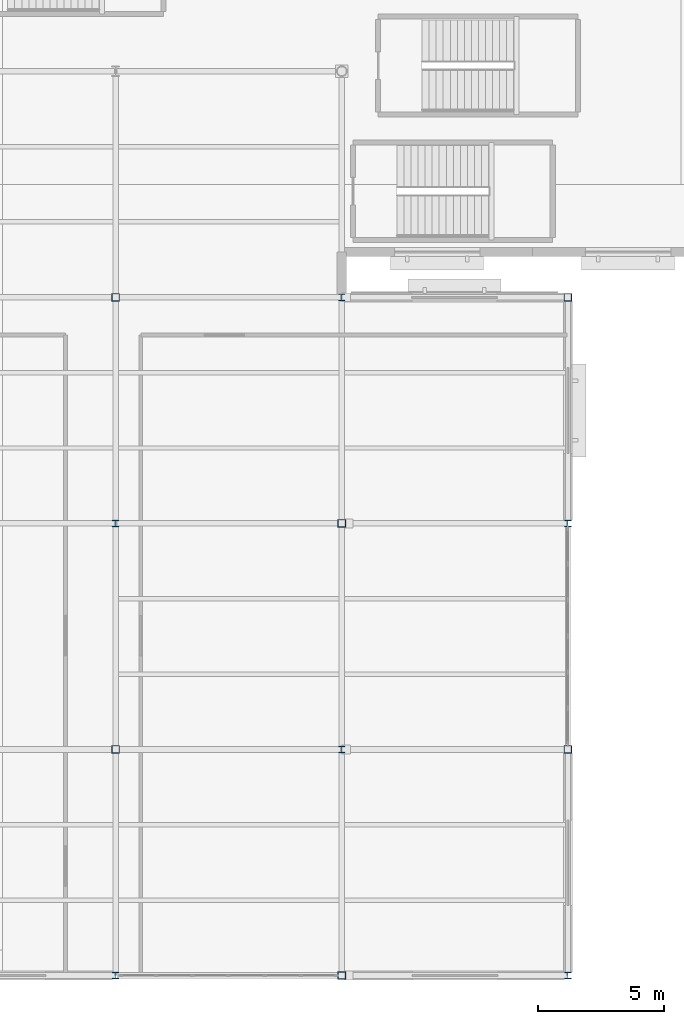
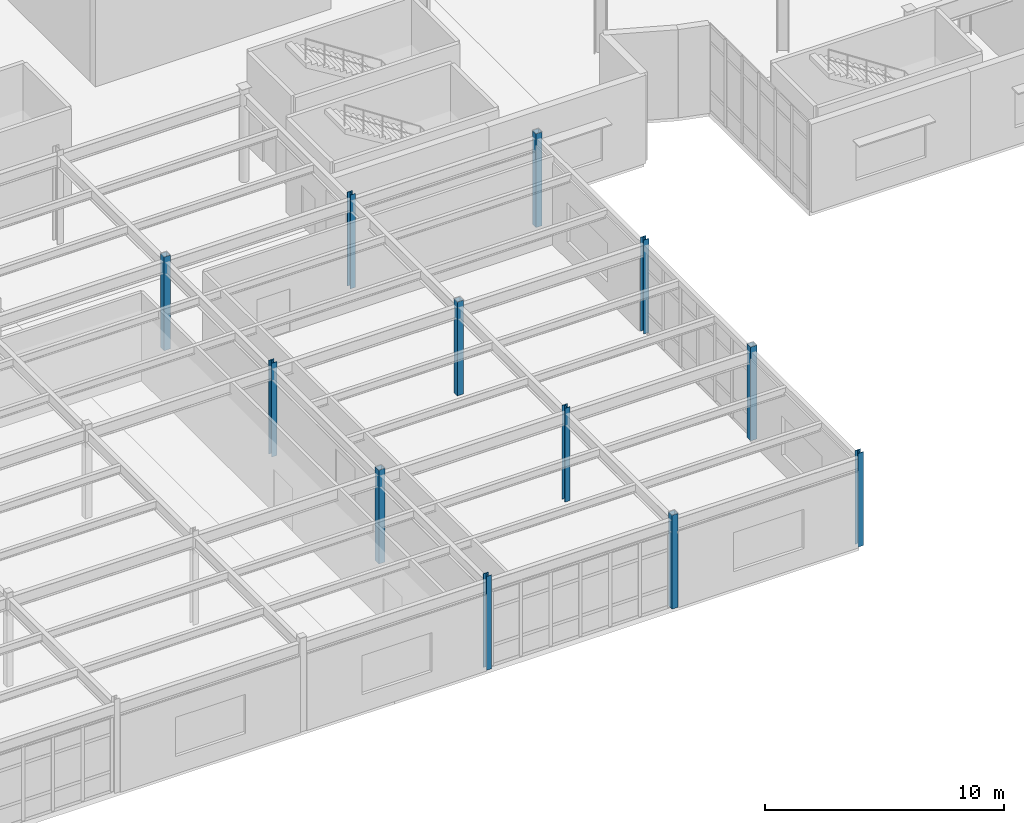
# One storey, part 2 of 84: 12 columns.
"""IFC4 building model written with IfcOpenShell, lengths in metres."""

from ifc_helpers import new_model, si_unit, direction, frame, origin, origin_2d, place, context, subcontext, project, spatial, hollow_rectangle, i_section, extrude, material, material_profile, profile_set, type_object, element, save


model = new_model("IFC4")

# Units and contexts
model_context = context("Model", 3, precision=1e-05, world=origin(), true_north=direction((0.0, 1.0)))
body_context = subcontext(model_context, "Body", "Model", "MODEL_VIEW")
ifc_project = project(units=[si_unit("LENGTHUNIT", "METRE"), si_unit("AREAUNIT", "SQUARE_METRE"), si_unit("VOLUMEUNIT", "CUBIC_METRE"), si_unit("PLANEANGLEUNIT", "RADIAN"), si_unit("MASSUNIT", "GRAM", prefix="KILO")], contexts=[model_context])

# Site, building, storey
site_placement = place(None, origin())
site = spatial("IfcSite", under=ifc_project, at=site_placement, CompositionType="ELEMENT")
building_placement = place(site_placement, origin())
building = spatial("IfcBuilding", under=site, at=building_placement, Name="Glasvene Arena", CompositionType="ELEMENT")
storey_placement = place(building_placement, frame((0.0, 0.0, 10.199951171875)))
storey = spatial("IfcBuildingStorey", under=building, at=storey_placement, Name="L02", CompositionType="ELEMENT", Elevation=10.199951171875)

# Columns
ifc_material = material(Name="Steel S355J2", Category="steel")
ifc_material_profile_1 = material_profile(ifc_material, hollow_rectangle(XDim=0.300048828125, YDim=0.300048828125, WallThickness=0.012451171875, at=origin_2d()), Name="SHS 300x300x12.5")
ifc_profile_set_1 = profile_set([ifc_material_profile_1], Name="Steel S355J2")
column_type_1 = type_object("IfcColumnType", Name="COL-W-SHS300", PredefinedType="COLUMN", material=ifc_profile_set_1)
for number, where, z_axis, x_axis, name in (
    (1, (36.0, 9.0, 0.0), (0.0, 0.0, 1.0), (1.0, 0.0, 0.0), "Grid column 5-2 L02"),
    (2, (36.0, 27.0, 0.0), (0.0, 0.0, 1.0), (1.0, 0.0, 0.0), "Grid column 5-4 L02"),
    (3, (45.0, 0.0, 0.0), (0.0, 0.0, 1.0), (1.0, 0.0, 0.0), "Grid column 6-1 L02"),
    (4, (45.0, 18.0, 0.0), (0.0, 0.0, 1.0), (1.0, 0.0, 0.0), "Grid column 6-3 L02"),
    (5, (54.0, 9.0, 0.0), (0.0, 0.0, 1.0), (1.0, 0.0, 0.0), "Grid column 7-2 L02"),
    (6, (54.0, 27.0, 0.0), (0.0, 0.0, 1.0), (1.0, 0.0, 0.0), "Grid column 7-4 L02"),
):
    element("IfcColumn", number, at=place(storey_placement, frame(where, z_axis=z_axis, x_axis=x_axis)), inside=storey, type_object=column_type_1, Name=name, PredefinedType="COLUMN", context=body_context, shape_type="SweptSolid", body=[
        extrude(hollow_rectangle(XDim=0.300048828125, YDim=0.300048828125, WallThickness=0.012451171875, at=origin_2d()), origin(), (0.0, 0.0, 1.0), 4.800048828125),
    ])
ifc_material_profile_2 = material_profile(ifc_material, i_section(OverallWidth=0.25634765625, OverallDepth=0.26025390625, WebThickness=0.01025390625, FlangeThickness=0.017333984375, FilletRadius=0.0126953125, at=origin_2d()), Name="UKC 254x254x89")
ifc_profile_set_2 = profile_set([ifc_material_profile_2], Name="Steel S355J2")
column_type_2 = type_object("IfcColumnType", Name="COL-W-UKC89", PredefinedType="COLUMN", material=ifc_profile_set_2)
for number, where, z_axis, x_axis, name in (
    (7, (36.0, 0.0, 0.0), (0.0, 0.0, 1.0), (1.0, 0.0, 0.0), "Grid column 5-1 L02"),
    (8, (36.0, 18.0, 0.0), (0.0, 0.0, 1.0), (1.0, 0.0, 0.0), "Grid column 5-3 L02"),
    (9, (45.0, 9.0, 0.0), (0.0, 0.0, 1.0), (1.0, 0.0, 0.0), "Grid column 6-2 L02"),
    (10, (45.0, 27.0, 0.0), (0.0, 0.0, 1.0), (1.0, 0.0, 0.0), "Grid column 6-4 L02"),
    (11, (54.0, 0.0, 0.0), (0.0, 0.0, 1.0), (1.0, 0.0, 0.0), "Grid column 7-1 L02"),
    (12, (54.0, 18.0, 0.0), (0.0, 0.0, 1.0), (1.0, 0.0, 0.0), "Grid column 7-3 L02"),
):
    element("IfcColumn", number, at=place(storey_placement, frame(where, z_axis=z_axis, x_axis=x_axis)), inside=storey, type_object=column_type_2, Name=name, PredefinedType="COLUMN", context=body_context, shape_type="SweptSolid", body=[
        extrude(i_section(OverallWidth=0.25634765625, OverallDepth=0.26025390625, WebThickness=0.01025390625, FlangeThickness=0.017333984375, FilletRadius=0.0126953125, at=origin_2d()), origin(), (0.0, 0.0, 1.0), 4.800048828125),
    ])

save(model, "model.ifc")
